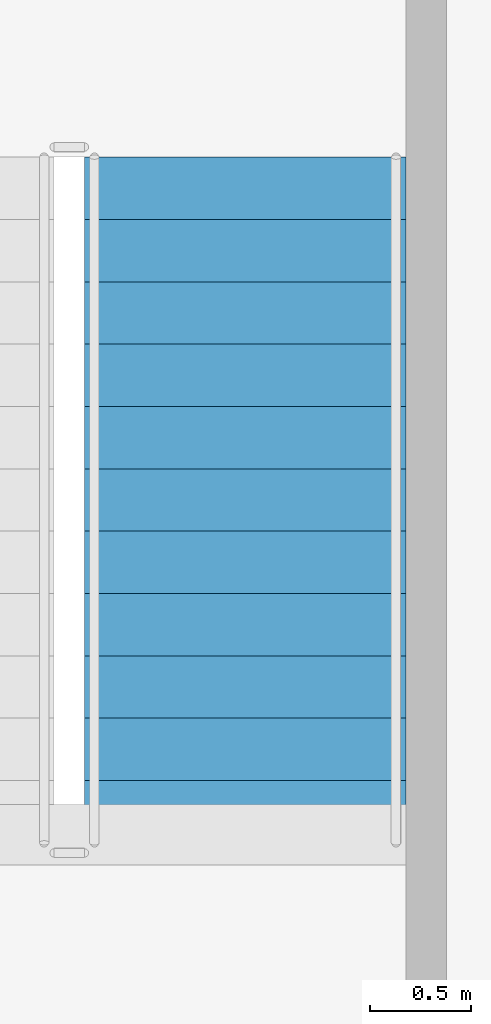
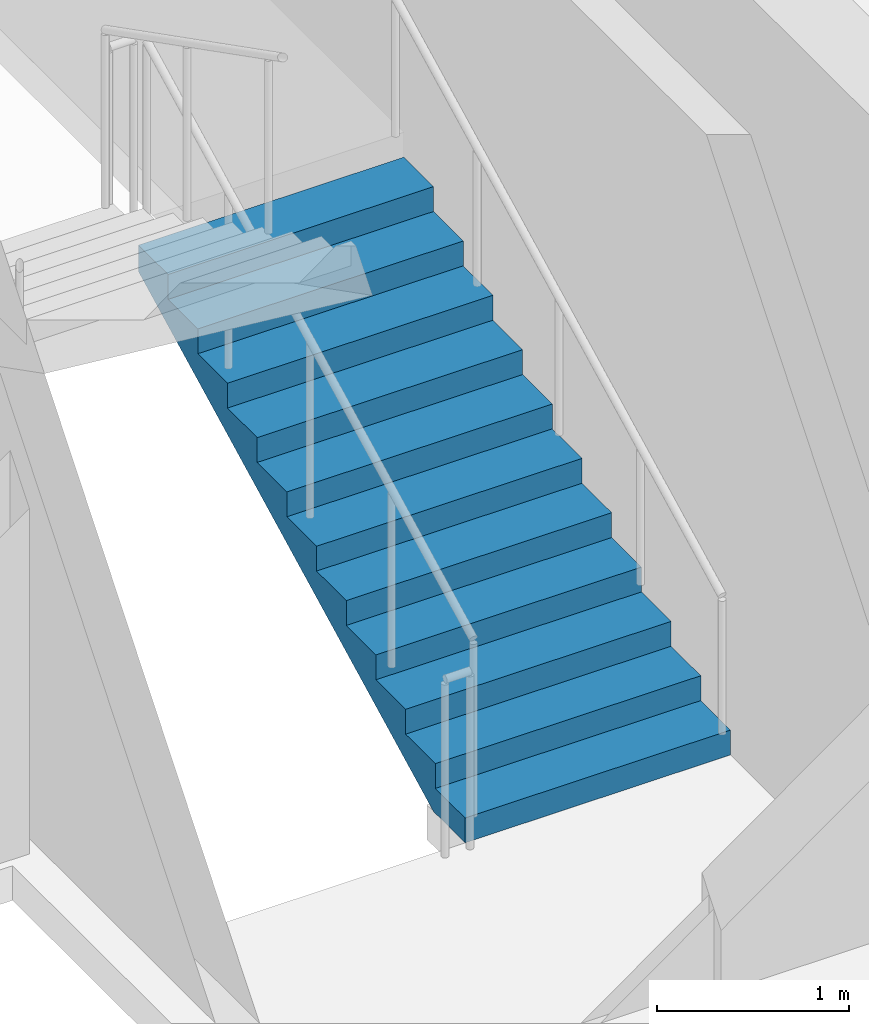
# One storey, part 13 of 20: 1 stair flight, 1 element without a shape of its own.
"""IFC4 building model written with IfcOpenShell, lengths in metres."""

import ifcopenshell
import ifcopenshell.guid

model = None  # the IFC model being written
_history = None  # IfcOwnerHistory: only IFC2X3 demands one
_inside = {}  # id of a spatial element -> (the spatial element, [elements in it])
_under = {}  # id of a project, library or spatial element -> (it, [spatial elements below it])
_declared = {}  # id of a project -> (the project, [libraries it declares])
_typed = {}  # id of a type object -> (the type object, [elements of that type])
_made_of = {}  # id of a material, layer set ... -> (it, [elements and type objects made of it])


def new_model(schema):
    """Start an empty IFC model of exactly this schema.

    Asked for "IFC4X3", IfcOpenShell would pick the latest addendum, in which some entities
    have other attributes; the version numbers below select the first issue.
    IFC2X3 requires an IfcOwnerHistory on every rooted entity: one is made here for all.
    """
    global model, _history
    if schema == "IFC4X3":
        model = ifcopenshell.file(schema_version=(4, 3, 0, 0))
    else:
        model = ifcopenshell.file(schema=schema)
    _inside.clear()
    _under.clear()
    _declared.clear()
    _typed.clear()
    _made_of.clear()
    _history = None
    if model.schema == "IFC2X3":
        org = make("IfcOrganization", Name="unknown")
        user = make(
            "IfcPersonAndOrganization",
            ThePerson=make("IfcPerson", FamilyName="unknown"),
            TheOrganization=org,
        )
        app = make(
            "IfcApplication",
            ApplicationDeveloper=org,
            Version="unknown",
            ApplicationFullName="unknown",
            ApplicationIdentifier="unknown",
        )
        _history = make(
            "IfcOwnerHistory",
            OwningUser=user,
            OwningApplication=app,
            ChangeAction="ADDED",
            CreationDate=0,
        )
    return model


def make(cls, **values):
    """One entity of the class cls with the attributes given. An attribute that is None is left unset."""
    return model.create_entity(
        cls, **{name: value for name, value in values.items() if value is not None}
    )


def rooted(cls, **values):
    """An entity with a GlobalId (a new one), such as an element, a storey or a relation."""
    return make(cls, GlobalId=ifcopenshell.guid.new(), OwnerHistory=_history, **values)


def si_unit(unit_type, name, prefix=None):
    """IfcSIUnit, for example si_unit("LENGTHUNIT", "METRE", prefix="MILLI")."""
    return make("IfcSIUnit", UnitType=unit_type, Prefix=prefix, Name=name)


def assignment(units):
    """IfcUnitAssignment: the units of a project."""
    return None if units is None else make("IfcUnitAssignment", Units=units)


def point(xyz):
    """IfcCartesianPoint."""
    return None if xyz is None else make("IfcCartesianPoint", Coordinates=xyz)


def direction(xyz):
    """IfcDirection."""
    return None if xyz is None else make("IfcDirection", DirectionRatios=xyz)


def frame(location, z_axis=None, x_axis=None):
    """IfcAxis2Placement3D, a coordinate frame: its origin and axes. An axis left out is left unset."""
    return make(
        "IfcAxis2Placement3D",
        Location=point(location),
        Axis=direction(z_axis),
        RefDirection=direction(x_axis),
    )


def origin():
    """The frame at (0, 0, 0) with its axes left unset."""
    return frame((0.0, 0.0, 0.0))


def place(relative_to, where):
    """IfcLocalPlacement: puts the frame where relative to a parent placement (None: the world)."""
    return make(
        "IfcLocalPlacement", PlacementRelTo=relative_to, RelativePlacement=where
    )


def context(
    kind, dimensions, precision=None, world=None, true_north=None, identifier=None
):
    """IfcGeometricRepresentationContext, for example the 3D "Model" context."""
    return make(
        "IfcGeometricRepresentationContext",
        ContextIdentifier=identifier,
        ContextType=kind,
        CoordinateSpaceDimension=dimensions,
        Precision=precision,
        WorldCoordinateSystem=world,
        TrueNorth=true_north,
    )


def subcontext(parent, identifier, kind, view, scale=None):
    """IfcGeometricRepresentationSubContext, for example "Body" below "Model"."""
    return make(
        "IfcGeometricRepresentationSubContext",
        ContextIdentifier=identifier,
        ContextType=kind,
        ParentContext=parent,
        TargetScale=scale,
        TargetView=view,
    )


def project(units=None, contexts=None):
    """IfcProject with its units and contexts."""
    return rooted(
        "IfcProject",
        Name="project",
        RepresentationContexts=contexts,
        UnitsInContext=assignment(units),
    )


def spatial(cls, under=None, at=None, **own):
    """A site, building, storey or space (cls), placed at a placement, below another one or the project."""
    s = rooted(cls, ObjectPlacement=at, **own)
    if under is not None:
        _under.setdefault(under.id(), (under, []))[1].append(s)
    return s


def polyline(points):
    """IfcPolyline through the points."""
    return make("IfcPolyline", Points=[point(p) for p in points])


def outline(outer, holes=None, kind="AREA"):
    """IfcArbitraryClosedProfileDef: a profile drawn as a closed curve; with holes, ...WithVoids."""
    if holes is None:
        return make("IfcArbitraryClosedProfileDef", ProfileType=kind, OuterCurve=outer)
    return make(
        "IfcArbitraryProfileDefWithVoids",
        ProfileType=kind,
        OuterCurve=outer,
        InnerCurves=holes,
    )


def extrude(swept, where, along, depth):
    """IfcExtrudedAreaSolid: the profile swept, set in the frame where, extruded along a direction by depth."""
    return make(
        "IfcExtrudedAreaSolid",
        SweptArea=swept,
        Position=where,
        ExtrudedDirection=direction(along),
        Depth=depth,
    )


def shape(context_of_items, identifier, shape_type, items):
    """IfcShapeRepresentation: the items that make up one representation, for example the "Body"."""
    return make(
        "IfcShapeRepresentation",
        ContextOfItems=context_of_items,
        RepresentationIdentifier=identifier,
        RepresentationType=shape_type,
        Items=items,
    )


def material(Name=None, Category=None):
    """IfcMaterial."""
    return make("IfcMaterial", Name=Name, Category=Category)


def made_of(thing, what):
    """Note that an element or type object is made of a material, layer set ...; save() writes the relation."""
    if what is not None:
        _made_of.setdefault(what.id(), (what, []))[1].append(thing)
    return thing


def type_object(cls, material=None, **own):
    """A type object (cls), such as IfcWallType, which elements share."""
    return made_of(rooted(cls, **own), material)


def element(
    cls,
    number,
    at=None,
    inside=None,
    cuts=None,
    type_object=None,
    material=None,
    context=None,
    identifier="Body",
    shape_type=None,
    held_by="IfcProductDefinitionShape",
    body=None,
    shapes=None,
    **own,
):
    """One element of the class cls, such as IfcWall. Its Tag is "e" and its number.

    at: its placement. inside: the storey or other place that contains it. cuts: it is an
    opening in that element (IfcRelVoidsElement). A single representation is given by context,
    identifier, shape_type and body (its items); several are given by shapes. held_by: the class
    of the entity that holds the representations. save() writes the other relations.
    """
    e = rooted(cls, Tag="e%d" % number, ObjectPlacement=at, **own)
    if body is not None:
        shapes = [shape(context, identifier, shape_type, body)]
    if shapes is not None:
        e.Representation = make(held_by, Representations=shapes)
    if inside is not None:
        _inside.setdefault(inside.id(), (inside, []))[1].append(e)
    if cuts is not None:
        rooted(
            "IfcRelVoidsElement", RelatingBuildingElement=cuts, RelatedOpeningElement=e
        )
    if type_object is not None:
        _typed.setdefault(type_object.id(), (type_object, []))[1].append(e)
    return made_of(e, material)


def aggregate(whole, parts):
    """IfcRelAggregates: a whole, such as a stair, and the parts it consists of."""
    return rooted("IfcRelAggregates", RelatingObject=whole, RelatedObjects=parts)


def save(model, path):
    """Write the relations noted so far, then the file.

    IfcRelAggregates (storeys below a building ...), IfcRelContainedInSpatialStructure (elements
    in a storey), IfcRelDefinesByType, IfcRelAssociatesMaterial and IfcRelDeclares: one each for
    every whole, place, type object, material and project.
    """
    for whole, parts in _under.values():
        aggregate(whole, parts)
    for where, things in _inside.values():
        rooted(
            "IfcRelContainedInSpatialStructure",
            RelatedElements=things,
            RelatingStructure=where,
        )
    for kind, things in _typed.values():
        rooted("IfcRelDefinesByType", RelatedObjects=things, RelatingType=kind)
    for what, things in _made_of.values():
        rooted("IfcRelAssociatesMaterial", RelatedObjects=things, RelatingMaterial=what)
    for by, libraries in _declared.values():
        rooted("IfcRelDeclares", RelatingContext=by, RelatedDefinitions=libraries)
    model.write(path)


model = new_model("IFC4")

# Units and contexts
model_context = context("Model", 3, precision=1e-05, world=origin(), true_north=direction((0.0, 1.0)))
body_context = subcontext(model_context, "Body", "Model", "MODEL_VIEW")
ifc_project = project(units=[si_unit("LENGTHUNIT", "METRE"), si_unit("AREAUNIT", "SQUARE_METRE"), si_unit("VOLUMEUNIT", "CUBIC_METRE"), si_unit("PLANEANGLEUNIT", "RADIAN"), si_unit("MASSUNIT", "GRAM", prefix="KILO")], contexts=[model_context])

# Site, building, storey
site_placement = place(None, origin())
site = spatial("IfcSite", under=ifc_project, at=site_placement, CompositionType="ELEMENT")
building_placement = place(site_placement, origin())
building = spatial("IfcBuilding", under=site, at=building_placement, Name="Vaeldorn Concourse Tower", CompositionType="ELEMENT")
storey_placement = place(building_placement, frame((0.0, 0.0, 284.0)))
storey = spatial("IfcBuildingStorey", under=building, at=storey_placement, Name="L73", CompositionType="ELEMENT", Elevation=284.0)

# Stair, stair flight
ifc_material = material(Name="Precast concrete C40/50", Category="concrete")
stair_type = type_object("IfcStairType", Name="STR-DOG-24x158", PredefinedType="HALF_TURN_STAIR", material=ifc_material)
stair_placement = place(storey_placement, origin())
stair = element("IfcStair", 1, at=stair_placement, inside=storey, type_object=stair_type, Name="L73 East Core Exit Stair ST-2", PredefinedType="HALF_TURN_STAIR")
stair_flight_type = type_object("IfcStairFlightType", Name="STF-STR-12x158", PredefinedType="STRAIGHT", material=ifc_material)
stair_flight_placement = place(storey_placement, frame((52.14990234375, 41.60009765625, 0.0), z_axis=(0.0, 0.0, 1.0), x_axis=(0.0, 1.0, 0.0)))
stair_flight = element("IfcStairFlight", 2, at=stair_flight_placement, type_object=stair_flight_type, Name="ST-2 flight 1", NumberOfRisers=12, NumberOfTreads=11, PredefinedType="STRAIGHT", RiserHeight=0.158333333, TreadLength=0.31, context=body_context, shape_type="SweptSolid", body=[
    extrude(outline(polyline([(0.0, 0.0), (0.0, 0.158447265625), (0.31005859375, 0.158447265625), (0.31005859375, 0.316650390625), (0.6201171875, 0.316650390625), (0.6201171875, 0.47509765625), (0.929931640625, 0.47509765625), (0.929931640625, 0.63330078125), (1.239990234375, 0.63330078125), (1.239990234375, 0.791748046875), (1.550048828125, 0.791748046875), (1.550048828125, 0.949951171875), (1.860107421875, 0.949951171875), (1.860107421875, 1.1083984375), (2.169921875, 1.1083984375), (2.169921875, 1.2666015625), (2.47998046875, 1.2666015625), (2.47998046875, 1.425048828125), (2.7900390625, 1.425048828125), (2.7900390625, 1.583251953125), (3.10009765625, 1.583251953125), (3.10009765625, 1.74169921875), (3.409912109375, 1.74169921875), (3.409912109375, 1.89990234375), (3.409912109375, 1.5732421875), (0.32958984375, 0.0), (0.0, 0.0)])), frame((0.0, 0.800048828125, 0.0), z_axis=(0.0, -1.0, 0.0), x_axis=(1.0, 0.0, 0.0)), (0.0, 0.0, 1.0), 1.60009765625),
])
aggregate(stair, [stair_flight])

save(model, "model.ifc")
